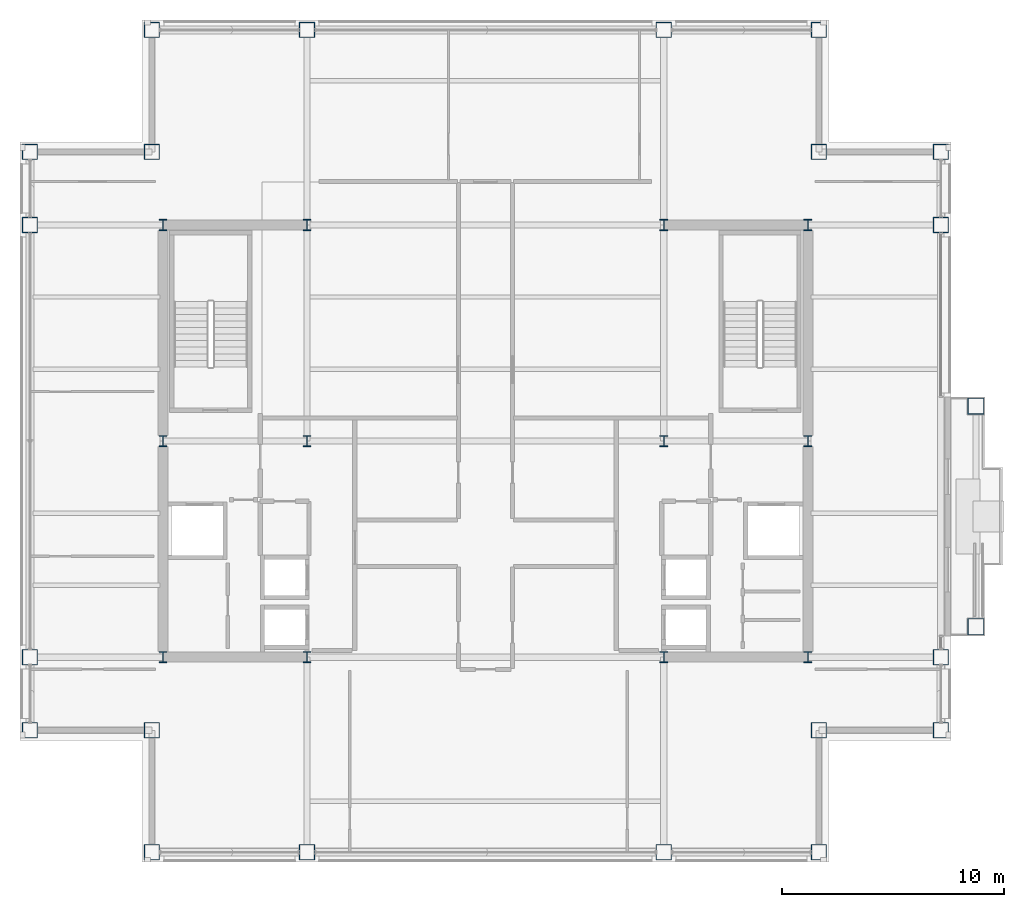
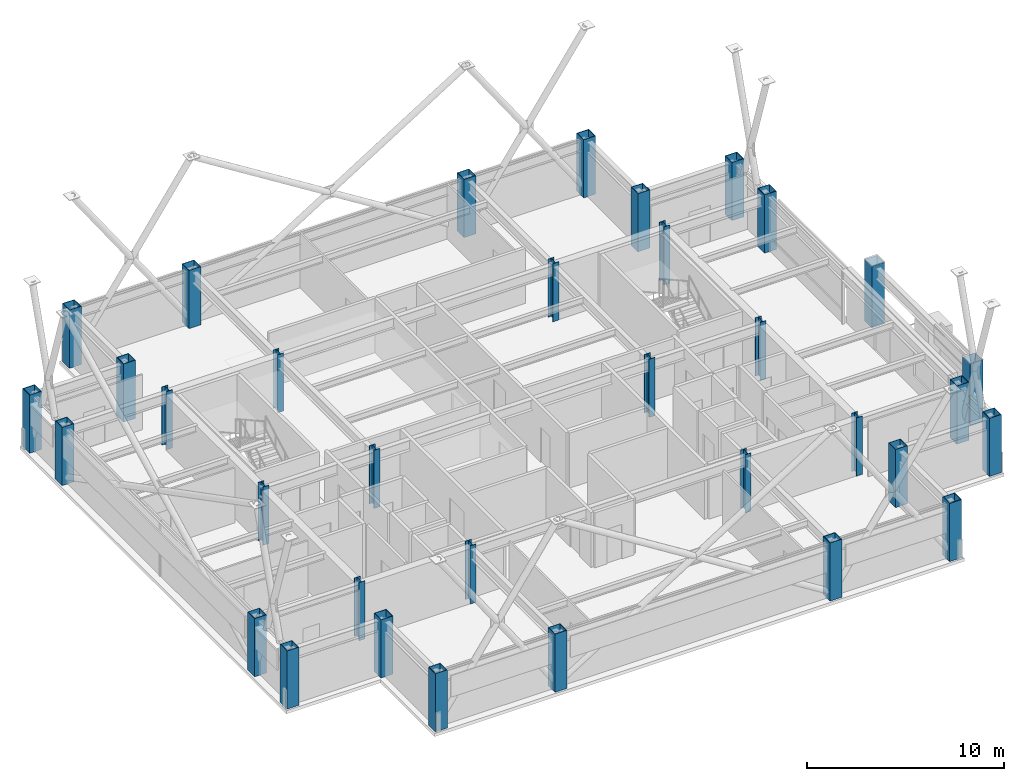
# One storey, part 1 of 33: 34 columns.
"""IFC4 building model written with IfcOpenShell, lengths in metres."""

from ifc_helpers import new_model, si_unit, direction, frame, origin, origin_2d, place, context, subcontext, project, spatial, hollow_rectangle, i_section, extrude, material, material_profile, profile_set, type_object, element, save


model = new_model("IFC4")

# Units and contexts
model_context = context("Model", 3, precision=1e-05, world=origin(), true_north=direction((0.0, 1.0)))
body_context = subcontext(model_context, "Body", "Model", "MODEL_VIEW")
ifc_project = project(units=[si_unit("LENGTHUNIT", "METRE"), si_unit("AREAUNIT", "SQUARE_METRE"), si_unit("VOLUMEUNIT", "CUBIC_METRE"), si_unit("PLANEANGLEUNIT", "RADIAN"), si_unit("MASSUNIT", "GRAM", prefix="KILO")], contexts=[model_context])

# Site, building, storey
site_placement = place(None, origin())
site = spatial("IfcSite", under=ifc_project, at=site_placement, CompositionType="ELEMENT")
building_placement = place(site_placement, origin())
building = spatial("IfcBuilding", under=site, at=building_placement, Name="Brelmoor Portico Tower", CompositionType="ELEMENT")
storey_placement = place(building_placement, frame((0.0, 0.0, 183.89990234375)))
storey = spatial("IfcBuildingStorey", under=building, at=storey_placement, Name="L48", CompositionType="ELEMENT", Elevation=183.89990234375)

# Columns
ifc_material = material(Name="Steel Q355B", Category="steel")
ifc_material_profile_1 = material_profile(ifc_material, hollow_rectangle(XDim=0.699951171875, YDim=0.699951171875, WallThickness=0.030029296875, at=origin_2d()), Name="BOX 700x700x30")
ifc_profile_set_1 = profile_set([ifc_material_profile_1], Name="Steel Q355B")
column_type_1 = type_object("IfcColumnType", Name="COL-MEGA-700", PredefinedType="COLUMN", material=ifc_profile_set_1)
for number, where, z_axis, x_axis, name in (
    (1, (-15.050048828125, -18.550048828125, 0.0), (0.0, 0.0, 1.0), (1.0, 0.0, 0.0), "L48 Perimeter Mega-Column PS01"),
    (2, (-8.050048828125, -18.550048828125, 0.0), (0.0, 0.0, 1.0), (1.0, 0.0, 0.0), "L48 Perimeter Mega-Column PS02"),
    (3, (8.050048828125, -18.550048828125, 0.0), (0.0, 0.0, 1.0), (1.0, 0.0, 0.0), "L48 Perimeter Mega-Column PS03"),
    (4, (15.050048828125, -18.550048828125, 0.0), (0.0, 0.0, 1.0), (1.0, 0.0, 0.0), "L48 Perimeter Mega-Column PS04"),
    (5, (-15.050048828125, 18.550048828125, 0.0), (0.0, 0.0, 1.0), (1.0, 0.0, 0.0), "L48 Perimeter Mega-Column PN01"),
    (6, (-8.050048828125, 18.550048828125, 0.0), (0.0, 0.0, 1.0), (1.0, 0.0, 0.0), "L48 Perimeter Mega-Column PN02"),
    (7, (8.050048828125, 18.550048828125, 0.0), (0.0, 0.0, 1.0), (1.0, 0.0, 0.0), "L48 Perimeter Mega-Column PN03"),
    (8, (15.050048828125, 18.550048828125, 0.0), (0.0, 0.0, 1.0), (1.0, 0.0, 0.0), "L48 Perimeter Mega-Column PN04"),
    (9, (-20.550048828125, -13.050048828125, 0.0), (0.0, 0.0, 1.0), (0.0, 1.0, 0.0), "L48 Perimeter Mega-Column PW01"),
    (10, (-20.550048828125, -9.75, 0.0), (0.0, 0.0, 1.0), (0.0, 1.0, 0.0), "L48 Perimeter Mega-Column PW02"),
    (11, (-20.550048828125, 9.75, 0.0), (0.0, 0.0, 1.0), (0.0, 1.0, 0.0), "L48 Perimeter Mega-Column PW03"),
    (12, (-20.550048828125, 13.050048828125, 0.0), (0.0, 0.0, 1.0), (0.0, 1.0, 0.0), "L48 Perimeter Mega-Column PW04"),
    (13, (20.550048828125, -13.050048828125, 0.0), (0.0, 0.0, 1.0), (0.0, 1.0, 0.0), "L48 Perimeter Mega-Column PE01"),
    (14, (20.550048828125, -9.75, 0.0), (0.0, 0.0, 1.0), (0.0, 1.0, 0.0), "L48 Perimeter Mega-Column PE02"),
    (15, (20.550048828125, 9.75, 0.0), (0.0, 0.0, 1.0), (0.0, 1.0, 0.0), "L48 Perimeter Mega-Column PE03"),
    (16, (20.550048828125, 13.050048828125, 0.0), (0.0, 0.0, 1.0), (0.0, 1.0, 0.0), "L48 Perimeter Mega-Column PE04"),
    (17, (-15.050048828125, 13.050048828125, 0.0), (0.0, 0.0, 1.0), (1.0, 0.0, 0.0), "L48 Perimeter Mega-Column PC-NW"),
    (18, (15.050048828125, 13.050048828125, 0.0), (0.0, 0.0, 1.0), (1.0, 0.0, 0.0), "L48 Perimeter Mega-Column PC-NE"),
    (19, (15.050048828125, -13.050048828125, 0.0), (0.0, 0.0, 1.0), (1.0, 0.0, 0.0), "L48 Perimeter Mega-Column PC-SE"),
    (20, (-15.050048828125, -13.050048828125, 0.0), (0.0, 0.0, 1.0), (1.0, 0.0, 0.0), "L48 Perimeter Mega-Column PC-SW"),
):
    element("IfcColumn", number, at=place(storey_placement, frame(where, z_axis=z_axis, x_axis=x_axis)), inside=storey, type_object=column_type_1, Name=name, PredefinedType="COLUMN", context=body_context, shape_type="SweptSolid", body=[
        extrude(hollow_rectangle(XDim=0.699951171875, YDim=0.699951171875, WallThickness=0.030029296875, at=origin_2d()), origin(), (0.0, 0.0, 1.0), 3.60009765625),
    ])
ifc_material_profile_2 = material_profile(ifc_material, hollow_rectangle(XDim=0.75, YDim=0.75, WallThickness=0.031982421875, at=origin_2d()), Name="BOX 750x750x32")
ifc_profile_set_2 = profile_set([ifc_material_profile_2], Name="Steel Q355B")
column_type_2 = type_object("IfcColumnType", Name="COL-MEGA-750", PredefinedType="COLUMN", material=ifc_profile_set_2)
for number, where, z_axis, x_axis, name in (
    (21, (22.1298828125, -8.3798828125, -0.199951171875), (0.0, 0.0, 1.0), (0.0, 1.0, 0.0), "L48 Proud Picture-Frame Pier PFJ-E1"),
    (22, (22.1298828125, 1.580078125, -0.199951171875), (0.0, 0.0, 1.0), (0.0, 1.0, 0.0), "L48 Proud Picture-Frame Pier PFJ-E2"),
):
    element("IfcColumn", number, at=place(storey_placement, frame(where, z_axis=z_axis, x_axis=x_axis)), inside=storey, type_object=column_type_2, Name=name, PredefinedType="COLUMN", context=body_context, shape_type="SweptSolid", body=[
        extrude(hollow_rectangle(XDim=0.75, YDim=0.75, WallThickness=0.031982421875, at=origin_2d()), origin(), (0.0, 0.0, 1.0), 3.800048828125),
    ])
ifc_material_profile_3 = material_profile(ifc_material, i_section(OverallWidth=0.35009765625, OverallDepth=0.5, WebThickness=0.02001953125, FlangeThickness=0.031982421875, at=origin_2d()), Name="HW 500x350x20x32")
ifc_profile_set_3 = profile_set([ifc_material_profile_3], Name="Steel Q355B")
column_type_3 = type_object("IfcColumnType", Name="COL-SPINE-500", PredefinedType="COLUMN", material=ifc_profile_set_3)
for number, where, z_axis, x_axis, name in (
    (23, (-14.550048828125, -9.75, 0.0), (0.0, 0.0, 1.0), (1.0, 0.0, 0.0), "L48 Core Spine Column CW-SW"),
    (24, (-14.550048828125, 0.0, 0.0), (0.0, 0.0, 1.0), (1.0, 0.0, 0.0), "L48 Core Spine Column CW-MW"),
    (25, (-14.550048828125, 9.75, 0.0), (0.0, 0.0, 1.0), (1.0, 0.0, 0.0), "L48 Core Spine Column CW-NW"),
    (26, (-8.050048828125, -9.75, 0.0), (0.0, 0.0, 1.0), (1.0, 0.0, 0.0), "L48 Core Spine Column CW-SE"),
    (27, (-8.050048828125, 0.0, 0.0), (0.0, 0.0, 1.0), (1.0, 0.0, 0.0), "L48 Core Spine Column CW-ME"),
    (28, (-8.050048828125, 9.75, 0.0), (0.0, 0.0, 1.0), (1.0, 0.0, 0.0), "L48 Core Spine Column CW-NE"),
    (29, (8.050048828125, -9.75, 0.0), (0.0, 0.0, 1.0), (1.0, 0.0, 0.0), "L48 Core Spine Column CE-SW"),
    (30, (8.050048828125, 0.0, 0.0), (0.0, 0.0, 1.0), (1.0, 0.0, 0.0), "L48 Core Spine Column CE-MW"),
    (31, (8.050048828125, 9.75, 0.0), (0.0, 0.0, 1.0), (1.0, 0.0, 0.0), "L48 Core Spine Column CE-NW"),
    (32, (14.550048828125, -9.75, 0.0), (0.0, 0.0, 1.0), (1.0, 0.0, 0.0), "L48 Core Spine Column CE-SE"),
    (33, (14.550048828125, 0.0, 0.0), (0.0, 0.0, 1.0), (1.0, 0.0, 0.0), "L48 Core Spine Column CE-ME"),
    (34, (14.550048828125, 9.75, 0.0), (0.0, 0.0, 1.0), (1.0, 0.0, 0.0), "L48 Core Spine Column CE-NE"),
):
    element("IfcColumn", number, at=place(storey_placement, frame(where, z_axis=z_axis, x_axis=x_axis)), inside=storey, type_object=column_type_3, Name=name, PredefinedType="COLUMN", context=body_context, shape_type="SweptSolid", body=[
        extrude(i_section(OverallWidth=0.35009765625, OverallDepth=0.5, WebThickness=0.02001953125, FlangeThickness=0.031982421875, at=origin_2d()), origin(), (0.0, 0.0, 1.0), 3.60009765625),
    ])

save(model, "model.ifc")
